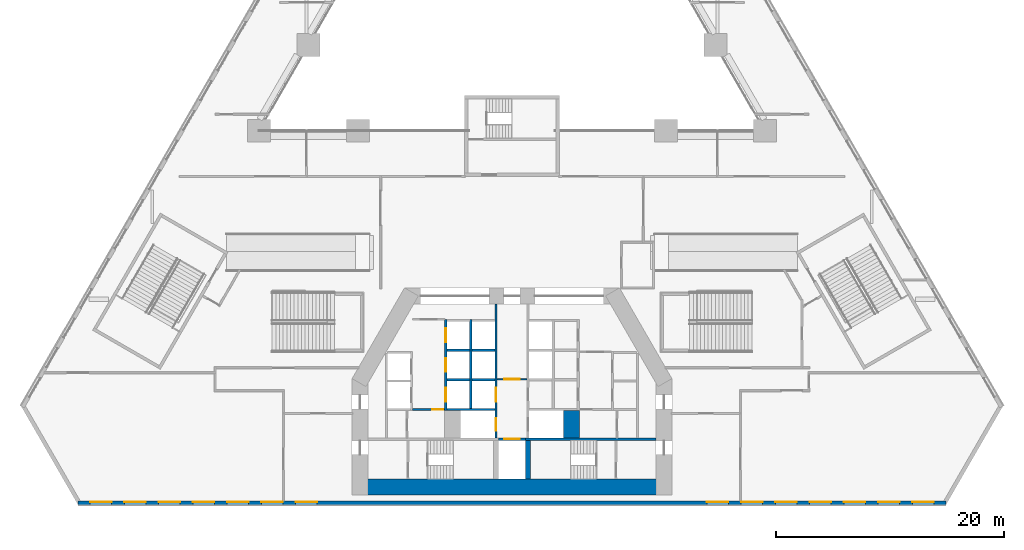
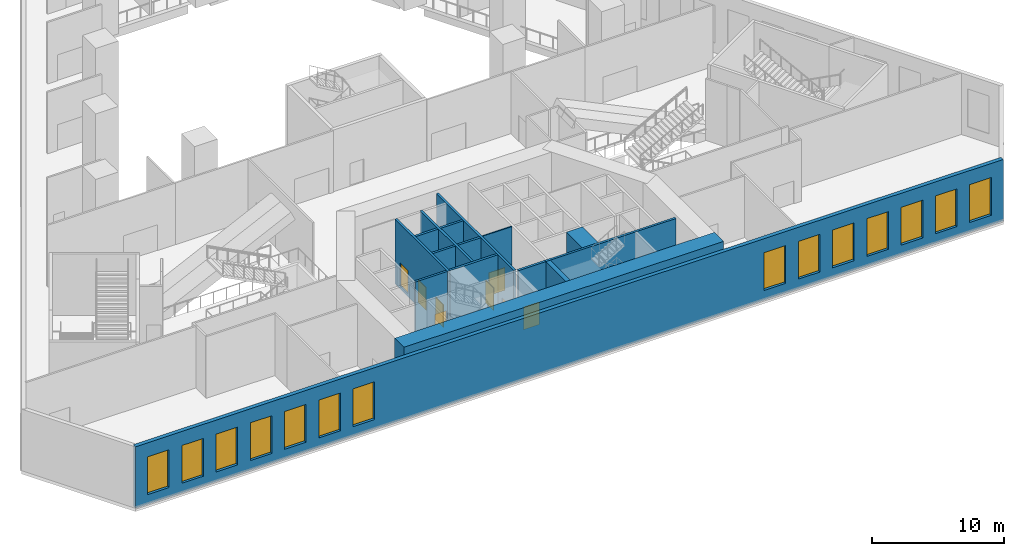
# One storey, part 3 of 16: 16 walls, 14 windows, 8 doors, 22 openings.
"""IFC4 building model written with IfcOpenShell, lengths in metres."""

from ifc_helpers import new_model, si_unit, direction, frame, frame_2d, origin, place, context, subcontext, project, spatial, rectangle, extrude, material, layer, layer_set, type_object, element, fill, save


model = new_model("IFC4")

# Units and contexts
model_context = context("Model", 3, precision=1e-05, world=origin(), true_north=direction((0.0, 1.0)))
body_context = subcontext(model_context, "Body", "Model", "MODEL_VIEW")
ifc_project = project(units=[si_unit("LENGTHUNIT", "METRE"), si_unit("AREAUNIT", "SQUARE_METRE"), si_unit("VOLUMEUNIT", "CUBIC_METRE"), si_unit("PLANEANGLEUNIT", "RADIAN"), si_unit("MASSUNIT", "GRAM", prefix="KILO")], contexts=[model_context])

# Site, building, storey
site_placement = place(None, origin())
site = spatial("IfcSite", under=ifc_project, at=site_placement, CompositionType="ELEMENT")
building_placement = place(site_placement, origin())
building = spatial("IfcBuilding", under=site, at=building_placement, Name="Fogline Exchange Tower", CompositionType="ELEMENT")
storey_placement = place(building_placement, frame((0.0, 0.0, 14.0)))
storey = spatial("IfcBuildingStorey", under=building, at=storey_placement, Name="L02", CompositionType="ELEMENT", Elevation=14.0)

# Wall, opening, door
ifc_material_1 = material(Name="Blockwork partition", Category="masonry")
ifc_layer_1 = layer(ifc_material_1, 0.10009765625)
ifc_layer_set_1 = layer_set([ifc_layer_1], Name="CW10")
wall_type_1 = type_object("IfcWallType", Name="CW10", PredefinedType="PARTITIONING", material=ifc_layer_set_1)
wall_1_placement = place(storey_placement, frame((-1.300048828125, 11.0, 0.0), z_axis=(0.0, 0.0, 1.0), x_axis=(1.0, 0.0, 0.0)))
wall_1 = element("IfcWall", 1, at=wall_1_placement, inside=storey, type_object=wall_type_1, Name="Lift lobby partition", PredefinedType="PARTITIONING", context=body_context, shape_type="SweptSolid", body=[
    extrude(rectangle(XDim=2.60009765625, YDim=0.10009765625, at=frame_2d((1.300048828125, 0.0))), origin(), (0.0, 0.0, 1.0), 5.699951171875),
])
opening_1_placement = place(wall_1_placement, frame((0.60009765625, 0.0, 0.0)))
opening_1 = element("IfcOpeningElement", 2, at=opening_1_placement, cuts=wall_1, Name="Opening P02-C019", PredefinedType="OPENING", context=body_context, shape_type="SweptSolid", body=[
    extrude(rectangle(XDim=1.39990234375, YDim=2.10009765625, at=frame_2d((0.699951171875, 1.050048828125))), frame((0.0, 0.06005859375, 0.0), z_axis=(0.0, -1.0, 0.0), x_axis=(1.0, 0.0, 0.0)), (0.0, 0.0, 1.0), 0.1201171875),
])
ifc_material_2 = material(Name="Steel and timber fire door", Category="steel")
door_type_1 = type_object("IfcDoorType", Name="D-LB1", OperationType="DOUBLE_DOOR_SINGLE_SWING", PredefinedType="DOOR", material=ifc_material_2)
door_1_placement = place(opening_1_placement, frame((1.39990234375, 0.0, 0.0), z_axis=(0.0, 0.0, 1.0), x_axis=(-1.0, 0.0, 0.0)))
door_1 = element("IfcDoor", 3, at=door_1_placement, inside=storey, type_object=door_type_1, Name="Door to firefighting lift lobby", OperationType="DOUBLE_DOOR_SINGLE_SWING", OverallHeight=2.10009765625, OverallWidth=1.39990234375, PredefinedType="DOOR", context=body_context, shape_type="SweptSolid", body=[
    extrude(rectangle(XDim=1.39990234375, YDim=2.10009765625, at=frame_2d((0.699951171875, 1.050048828125))), frame((0.0, 0.02490234375, 0.0), z_axis=(0.0, -1.0, 0.0), x_axis=(1.0, 0.0, 0.0)), (0.0, 0.0, 1.0), 0.050048828125),
])
fill(opening_1, door_1)

# Wall
ifc_material_3 = material(Name="Concrete C60", Category="concrete")
ifc_layer_2 = layer(ifc_material_3, 1.39990234375)
ifc_layer_set_2 = layer_set([ifc_layer_2], Name="CW140")
wall_type_2 = type_object("IfcWallType", Name="CW140", PredefinedType="SOLIDWALL", material=ifc_layer_set_2)
wall_2_placement = place(storey_placement, frame((5.199951171875, 5.85009765625, -0.300048828125), z_axis=(0.0, 0.0, 1.0), x_axis=(0.0, 1.0, 0.0)))
element("IfcWall", 4, at=wall_2_placement, inside=storey, type_object=wall_type_2, Name="Lift shaft block wall", PredefinedType="SOLIDWALL", context=body_context, shape_type="SweptSolid", body=[
    extrude(rectangle(XDim=2.39990234375, YDim=1.39990234375, at=frame_2d((1.199951171875, 0.0))), origin(), (0.0, 0.0, 1.0), 6.0),
])

# Wall, opening, door
ifc_material_4 = material(Name="Concrete C40", Category="concrete")
ifc_layer_3 = layer(ifc_material_4, 0.199951171875)
ifc_layer_set_3 = layer_set([ifc_layer_3], Name="CW20")
wall_type_3 = type_object("IfcWallType", Name="CW20", PredefinedType="SOLIDWALL", material=ifc_layer_set_3)
wall_3_placement = place(storey_placement, frame((-8.699951171875, 8.35009765625, 0.0), z_axis=(0.0, 0.0, 1.0), x_axis=(1.0, 0.0, 0.0)))
wall_3 = element("IfcWall", 5, at=wall_3_placement, inside=storey, type_object=wall_type_3, Name="WC wall", PredefinedType="SOLIDWALL", context=body_context, shape_type="SweptSolid", body=[
    extrude(rectangle(XDim=2.800048828125, YDim=0.199951171875, at=frame_2d((1.39990234375, 0.0))), origin(), (0.0, 0.0, 1.0), 5.699951171875),
])
opening_2_placement = place(wall_3_placement, frame((1.699951171875, 0.0, 0.0)))
opening_2 = element("IfcOpeningElement", 6, at=opening_2_placement, cuts=wall_3, Name="Opening P02-C008", PredefinedType="OPENING", context=body_context, shape_type="SweptSolid", body=[
    extrude(rectangle(XDim=1.0, YDim=2.10009765625, at=frame_2d((0.5, 1.050048828125))), frame((0.0, 0.10986328125, 0.0), z_axis=(0.0, -1.0, 0.0), x_axis=(1.0, 0.0, 0.0)), (0.0, 0.0, 1.0), 0.219970703125),
])
door_type_2 = type_object("IfcDoorType", Name="D-WC1", OperationType="SINGLE_SWING_LEFT", PredefinedType="DOOR", material=ifc_material_2)
door_2_placement = place(opening_2_placement, frame((1.0, 0.0, 0.0), z_axis=(0.0, 0.0, 1.0), x_axis=(-1.0, 0.0, 0.0)))
door_2 = element("IfcDoor", 7, at=door_2_placement, inside=storey, type_object=door_type_2, Name="Door to Men's WC", OperationType="SINGLE_SWING_LEFT", OverallHeight=2.10009765625, OverallWidth=1.0, PredefinedType="DOOR", context=body_context, shape_type="SweptSolid", body=[
    extrude(rectangle(XDim=1.0, YDim=2.10009765625, at=frame_2d((0.5, 1.050048828125))), frame((0.0, 0.02490234375, 0.0), z_axis=(0.0, -1.0, 0.0), x_axis=(1.0, 0.0, 0.0)), (0.0, 0.0, 1.0), 0.050048828125),
])
fill(opening_2, door_2)

ifc_layer_4 = layer(ifc_material_4, 0.199951171875)
ifc_layer_set_4 = layer_set([ifc_layer_4], Name="CW20R")
wall_type_4 = type_object("IfcWallType", Name="CW20R", PredefinedType="SOLIDWALL", material=ifc_layer_set_4)
wall_4_placement = place(storey_placement, frame((-1.199951171875, 5.75, -0.300048828125), z_axis=(0.0, 0.0, 1.0), x_axis=(1.0, 0.0, 0.0)))
wall_4 = element("IfcWall", 8, at=wall_4_placement, inside=storey, type_object=wall_type_4, Name="Stair enclosure wall", PredefinedType="SOLIDWALL", context=body_context, shape_type="SweptSolid", body=[
    extrude(rectangle(XDim=2.39990234375, YDim=0.199951171875, at=frame_2d((1.199951171875, 0.0))), origin(), (0.0, 0.0, 1.0), 6.0),
])
opening_3_placement = place(wall_4_placement, frame((0.5, 0.0, 0.300048828125)))
opening_3 = element("IfcOpeningElement", 9, at=opening_3_placement, cuts=wall_4, Name="Opening P02-LD09", PredefinedType="OPENING", context=body_context, shape_type="SweptSolid", body=[
    extrude(rectangle(XDim=1.39990234375, YDim=2.10009765625, at=frame_2d((0.699951171875, 1.050048828125))), frame((0.0, 0.10986328125, 0.0), z_axis=(0.0, -1.0, 0.0), x_axis=(1.0, 0.0, 0.0)), (0.0, 0.0, 1.0), 0.219970703125),
])
door_type_3 = type_object("IfcDoorType", Name="LD3", OperationType="SLIDING_TO_LEFT", PredefinedType="DOOR", material=ifc_material_2)
door_3_placement = place(opening_3_placement, origin())
door_3 = element("IfcDoor", 10, at=door_3_placement, inside=storey, type_object=door_type_3, Name="Landing door GL1", OperationType="SLIDING_TO_LEFT", OverallHeight=2.10009765625, OverallWidth=1.39990234375, PredefinedType="DOOR", context=body_context, shape_type="SweptSolid", body=[
    extrude(rectangle(XDim=1.39990234375, YDim=2.10009765625, at=frame_2d((0.699951171875, 1.050048828125))), frame((0.0, 0.02490234375, 0.0), z_axis=(0.0, -1.0, 0.0), x_axis=(1.0, 0.0, 0.0)), (0.0, 0.0, 1.0), 0.050048828125),
])
fill(opening_3, door_3)

# Wall
wall_5_placement = place(storey_placement, frame((1.199951171875, 5.75, -0.300048828125), z_axis=(0.0, 0.0, 1.0), x_axis=(1.0, 0.0, 0.0)))
element("IfcWall", 11, at=wall_5_placement, inside=storey, type_object=wall_type_4, Name="Stair enclosure wall", PredefinedType="SOLIDWALL", context=body_context, shape_type="SweptSolid", body=[
    extrude(rectangle(XDim=11.400146484375, YDim=0.199951171875, at=frame_2d((5.7001953125, 0.0))), origin(), (0.0, 0.0, 1.0), 6.0),
])

# Wall, openings, doors
ifc_layer_5 = layer(ifc_material_4, 0.199951171875)
ifc_layer_set_5 = layer_set([ifc_layer_5], Name="CW20S")
wall_type_5 = type_object("IfcWallType", Name="CW20S", PredefinedType="SOLIDWALL", material=ifc_layer_set_5)
wall_6_placement = place(storey_placement, frame((-5.800048828125, 8.25, -0.300048828125), z_axis=(0.0, 0.0, 1.0), x_axis=(0.0, 1.0, 0.0)))
wall_6 = element("IfcWall", 12, at=wall_6_placement, inside=storey, type_object=wall_type_5, Name="Lift shaft wall", PredefinedType="SOLIDWALL", context=body_context, shape_type="SweptSolid", body=[
    extrude(rectangle(XDim=8.0, YDim=0.199951171875, at=frame_2d((4.0, 0.0))), origin(), (0.0, 0.0, 1.0), 6.0),
])
opening_4_placement = place(wall_6_placement, frame((0.800048828125, 0.0, 0.300048828125)))
opening_4 = element("IfcOpeningElement", 13, at=opening_4_placement, cuts=wall_6, Name="Opening P02-LD03", PredefinedType="OPENING", context=body_context, shape_type="SweptSolid", body=[
    extrude(rectangle(XDim=1.199951171875, YDim=2.10009765625, at=frame_2d((0.60009765625, 1.050048828125))), frame((0.0, 0.10986328125, 0.0), z_axis=(0.0, -1.0, 0.0), x_axis=(1.0, 0.0, 0.0)), (0.0, 0.0, 1.0), 0.219970703125),
])
opening_5_placement = place(wall_6_placement, frame((3.39990234375, 0.0, 0.300048828125)))
opening_5 = element("IfcOpeningElement", 14, at=opening_5_placement, cuts=wall_6, Name="Opening P02-LD04", PredefinedType="OPENING", context=body_context, shape_type="SweptSolid", body=[
    extrude(rectangle(XDim=1.199951171875, YDim=2.10009765625, at=frame_2d((0.60009765625, 1.050048828125))), frame((0.0, 0.10986328125, 0.0), z_axis=(0.0, -1.0, 0.0), x_axis=(1.0, 0.0, 0.0)), (0.0, 0.0, 1.0), 0.219970703125),
])
opening_6_placement = place(wall_6_placement, frame((6.0, 0.0, 0.300048828125)))
opening_6 = element("IfcOpeningElement", 15, at=opening_6_placement, cuts=wall_6, Name="Opening P02-LD05", PredefinedType="OPENING", context=body_context, shape_type="SweptSolid", body=[
    extrude(rectangle(XDim=1.199951171875, YDim=2.10009765625, at=frame_2d((0.60009765625, 1.050048828125))), frame((0.0, 0.10986328125, 0.0), z_axis=(0.0, -1.0, 0.0), x_axis=(1.0, 0.0, 0.0)), (0.0, 0.0, 1.0), 0.219970703125),
])
door_type_4 = type_object("IfcDoorType", Name="LD1", OperationType="SLIDING_TO_LEFT", PredefinedType="DOOR", material=ifc_material_2)
door_4_placement = place(opening_4_placement, origin())
door_4 = element("IfcDoor", 16, at=door_4_placement, inside=storey, type_object=door_type_4, Name="Landing door LR3", OperationType="SLIDING_TO_LEFT", OverallHeight=2.10009765625, OverallWidth=1.199951171875, PredefinedType="DOOR", context=body_context, shape_type="SweptSolid", body=[
    extrude(rectangle(XDim=1.199951171875, YDim=2.10009765625, at=frame_2d((0.60009765625, 1.050048828125))), frame((0.0, 0.02490234375, 0.0), z_axis=(0.0, -1.0, 0.0), x_axis=(1.0, 0.0, 0.0)), (0.0, 0.0, 1.0), 0.050048828125),
])
fill(opening_4, door_4)
door_5_placement = place(opening_5_placement, origin())
door_5 = element("IfcDoor", 17, at=door_5_placement, inside=storey, type_object=door_type_4, Name="Landing door LR4", OperationType="SLIDING_TO_LEFT", OverallHeight=2.10009765625, OverallWidth=1.199951171875, PredefinedType="DOOR", context=body_context, shape_type="SweptSolid", body=[
    extrude(rectangle(XDim=1.199951171875, YDim=2.10009765625, at=frame_2d((0.60009765625, 1.050048828125))), frame((0.0, 0.02490234375, 0.0), z_axis=(0.0, -1.0, 0.0), x_axis=(1.0, 0.0, 0.0)), (0.0, 0.0, 1.0), 0.050048828125),
])
fill(opening_5, door_5)
door_6_placement = place(opening_6_placement, origin())
door_6 = element("IfcDoor", 18, at=door_6_placement, inside=storey, type_object=door_type_4, Name="Landing door LR5", OperationType="SLIDING_TO_LEFT", OverallHeight=2.10009765625, OverallWidth=1.199951171875, PredefinedType="DOOR", context=body_context, shape_type="SweptSolid", body=[
    extrude(rectangle(XDim=1.199951171875, YDim=2.10009765625, at=frame_2d((0.60009765625, 1.050048828125))), frame((0.0, 0.02490234375, 0.0), z_axis=(0.0, -1.0, 0.0), x_axis=(1.0, 0.0, 0.0)), (0.0, 0.0, 1.0), 0.050048828125),
])
fill(opening_6, door_6)

# Wall
wall_7_placement = place(storey_placement, frame((-3.60009765625, 8.449951171875, -0.300048828125), z_axis=(0.0, 0.0, 1.0), x_axis=(0.0, 1.0, 0.0)))
element("IfcWall", 19, at=wall_7_placement, inside=storey, type_object=wall_type_5, Name="Lift shaft wall", PredefinedType="SOLIDWALL", context=body_context, shape_type="SweptSolid", body=[
    extrude(rectangle(XDim=7.800048828125, YDim=0.199951171875, at=frame_2d((3.89990234375, 0.0))), origin(), (0.0, 0.0, 1.0), 6.0),
])

# Wall, openings, doors
wall_8_placement = place(storey_placement, frame((-1.39990234375, 5.85009765625, -0.300048828125), z_axis=(0.0, 0.0, 1.0), x_axis=(0.0, 1.0, 0.0)))
wall_8 = element("IfcWall", 20, at=wall_8_placement, inside=storey, type_object=wall_type_5, Name="Lift lobby wall", PredefinedType="SOLIDWALL", context=body_context, shape_type="SweptSolid", body=[
    extrude(rectangle(XDim=11.75, YDim=0.199951171875, at=frame_2d((5.875, 0.0))), origin(), (0.0, 0.0, 1.0), 6.0),
])
opening_7_placement = place(wall_8_placement, frame((3.199951171875, 0.0, 0.300048828125)))
opening_7 = element("IfcOpeningElement", 21, at=opening_7_placement, cuts=wall_8, Name="Opening P02-LD06", PredefinedType="OPENING", context=body_context, shape_type="SweptSolid", body=[
    extrude(rectangle(XDim=1.199951171875, YDim=2.10009765625, at=frame_2d((0.60009765625, 1.050048828125))), frame((0.0, 0.10986328125, 0.0), z_axis=(0.0, -1.0, 0.0), x_axis=(1.0, 0.0, 0.0)), (0.0, 0.0, 1.0), 0.219970703125),
])
opening_8_placement = place(wall_8_placement, frame((0.64990234375, 0.0, 0.300048828125)))
opening_8 = element("IfcOpeningElement", 22, at=opening_8_placement, cuts=wall_8, Name="Opening P02-LD07", PredefinedType="OPENING", context=body_context, shape_type="SweptSolid", body=[
    extrude(rectangle(XDim=1.10009765625, YDim=2.10009765625, at=frame_2d((0.550048828125, 1.050048828125))), frame((0.0, 0.10986328125, 0.0), z_axis=(0.0, -1.0, 0.0), x_axis=(1.0, 0.0, 0.0)), (0.0, 0.0, 1.0), 0.219970703125),
])
door_7_placement = place(opening_7_placement, origin())
door_7 = element("IfcDoor", 23, at=door_7_placement, inside=storey, type_object=door_type_4, Name="Landing door LR6", OperationType="SLIDING_TO_LEFT", OverallHeight=2.10009765625, OverallWidth=1.199951171875, PredefinedType="DOOR", context=body_context, shape_type="SweptSolid", body=[
    extrude(rectangle(XDim=1.199951171875, YDim=2.10009765625, at=frame_2d((0.60009765625, 1.050048828125))), frame((0.0, 0.02490234375, 0.0), z_axis=(0.0, -1.0, 0.0), x_axis=(1.0, 0.0, 0.0)), (0.0, 0.0, 1.0), 0.050048828125),
])
fill(opening_7, door_7)
door_type_5 = type_object("IfcDoorType", Name="LD2", OperationType="SLIDING_TO_RIGHT", PredefinedType="DOOR", material=ifc_material_2)
door_8_placement = place(opening_8_placement, origin())
door_8 = element("IfcDoor", 24, at=door_8_placement, inside=storey, type_object=door_type_5, Name="Landing door FF1", OperationType="SLIDING_TO_RIGHT", OverallHeight=2.10009765625, OverallWidth=1.10009765625, PredefinedType="DOOR", context=body_context, shape_type="SweptSolid", body=[
    extrude(rectangle(XDim=1.10009765625, YDim=2.10009765625, at=frame_2d((0.550048828125, 1.050048828125))), frame((0.0, 0.02490234375, 0.0), z_axis=(0.0, -1.0, 0.0), x_axis=(1.0, 0.0, 0.0)), (0.0, 0.0, 1.0), 0.050048828125),
])
fill(opening_8, door_8)

# Walls
wall_9_placement = place(storey_placement, frame((-5.699951171875, 8.35009765625, -0.300048828125), z_axis=(0.0, 0.0, 1.0), x_axis=(1.0, 0.0, 0.0)))
element("IfcWall", 25, at=wall_9_placement, inside=storey, type_object=wall_type_5, Name="Lift shaft wall", PredefinedType="SOLIDWALL", context=body_context, shape_type="SweptSolid", body=[
    extrude(rectangle(XDim=4.199951171875, YDim=0.199951171875, at=frame_2d((2.10009765625, 0.0))), origin(), (0.0, 0.0, 1.0), 6.0),
])
for number, where, z_axis, x_axis, name in (
    (26, (-5.699951171875, 10.949951171875, -0.300048828125), (0.0, 0.0, 1.0), (1.0, 0.0, 0.0), "Lift shaft wall"),
    (27, (-5.699951171875, 13.550048828125, -0.300048828125), (0.0, 0.0, 1.0), (1.0, 0.0, 0.0), "Lift shaft wall"),
    (28, (-3.5, 10.949951171875, -0.300048828125), (0.0, 0.0, 1.0), (1.0, 0.0, 0.0), "Lift shaft wall"),
    (29, (-3.5, 13.550048828125, -0.300048828125), (0.0, 0.0, 1.0), (1.0, 0.0, 0.0), "Lift shaft wall"),
):
    element("IfcWall", number, at=place(storey_placement, frame(where, z_axis=z_axis, x_axis=x_axis)), inside=storey, type_object=wall_type_5, Name=name, PredefinedType="SOLIDWALL", context=body_context, shape_type="SweptSolid", body=[
        extrude(rectangle(XDim=2.0, YDim=0.199951171875, at=frame_2d((1.0, 0.0))), origin(), (0.0, 0.0, 1.0), 6.0),
    ])
ifc_layer_6 = layer(ifc_material_4, 0.39990234375)
ifc_layer_set_6 = layer_set([ifc_layer_6], Name="CW40R")
wall_type_6 = type_object("IfcWallType", Name="CW40R", PredefinedType="SOLIDWALL", material=ifc_layer_set_6)
wall_10_placement = place(storey_placement, frame((1.39990234375, 2.25, -0.300048828125), z_axis=(0.0, 0.0, 1.0), x_axis=(0.0, 1.0, 0.0)))
element("IfcWall", 30, at=wall_10_placement, inside=storey, type_object=wall_type_6, Name="Stair and lift shaft wall", PredefinedType="SOLIDWALL", context=body_context, shape_type="SweptSolid", body=[
    extrude(rectangle(XDim=3.39990234375, YDim=0.39990234375, at=frame_2d((1.699951171875, 0.0))), origin(), (0.0, 0.0, 1.0), 6.0),
])

# Wall, openings, windows
ifc_material_5 = material(Name="Brick masonry", Category="masonry")
ifc_layer_7 = layer(ifc_material_5, 0.340087890625)
ifc_layer_set_7 = layer_set([ifc_layer_7], Name="FW1")
wall_type_7 = type_object("IfcWallType", Name="FW1", PredefinedType="SOLIDWALL", material=ifc_layer_set_7)
wall_11_placement = place(storey_placement, frame((-38.0, 0.169921875, 0.0), z_axis=(0.0, 0.0, 1.0), x_axis=(1.0, 0.0, 0.0)))
wall_11 = element("IfcWall", 31, at=wall_11_placement, inside=storey, type_object=wall_type_7, Name="Brick wall L02 S", PredefinedType="SOLIDWALL", context=body_context, shape_type="SweptSolid", body=[
    extrude(rectangle(XDim=76.0, YDim=0.340087890625, at=frame_2d((38.0, 0.0))), origin(), (0.0, 0.0, 1.0), 5.699951171875),
])
opening_9_placement = place(wall_11_placement, frame((1.0576171875, 0.0, 0.89990234375)))
opening_9 = element("IfcOpeningElement", 32, at=opening_9_placement, cuts=wall_11, Name="Opening W7", PredefinedType="OPENING", context=body_context, shape_type="SweptSolid", body=[
    extrude(rectangle(XDim=1.885009765625, YDim=3.5, at=frame_2d((0.9423828125, 1.75))), frame((0.0, 0.18017578125, 0.0), z_axis=(0.0, -1.0, 0.0), x_axis=(1.0, 0.0, 0.0)), (0.0, 0.0, 1.0), 0.360107421875),
])
opening_10_placement = place(wall_11_placement, frame((4.0576171875, 0.0, 0.89990234375)))
opening_10 = element("IfcOpeningElement", 33, at=opening_10_placement, cuts=wall_11, Name="Opening W7", PredefinedType="OPENING", context=body_context, shape_type="SweptSolid", body=[
    extrude(rectangle(XDim=1.885009765625, YDim=3.5, at=frame_2d((0.9423828125, 1.75))), frame((0.0, 0.18017578125, 0.0), z_axis=(0.0, -1.0, 0.0), x_axis=(1.0, 0.0, 0.0)), (0.0, 0.0, 1.0), 0.360107421875),
])
opening_11_placement = place(wall_11_placement, frame((7.0576171875, 0.0, 0.89990234375)))
opening_11 = element("IfcOpeningElement", 34, at=opening_11_placement, cuts=wall_11, Name="Opening W7", PredefinedType="OPENING", context=body_context, shape_type="SweptSolid", body=[
    extrude(rectangle(XDim=1.885009765625, YDim=3.5, at=frame_2d((0.9423828125, 1.75))), frame((0.0, 0.18017578125, 0.0), z_axis=(0.0, -1.0, 0.0), x_axis=(1.0, 0.0, 0.0)), (0.0, 0.0, 1.0), 0.360107421875),
])
opening_12_placement = place(wall_11_placement, frame((10.0576171875, 0.0, 0.89990234375)))
opening_12 = element("IfcOpeningElement", 35, at=opening_12_placement, cuts=wall_11, Name="Opening W7", PredefinedType="OPENING", context=body_context, shape_type="SweptSolid", body=[
    extrude(rectangle(XDim=1.885009765625, YDim=3.5, at=frame_2d((0.9423828125, 1.75))), frame((0.0, 0.18017578125, 0.0), z_axis=(0.0, -1.0, 0.0), x_axis=(1.0, 0.0, 0.0)), (0.0, 0.0, 1.0), 0.360107421875),
])
opening_13_placement = place(wall_11_placement, frame((13.0576171875, 0.0, 0.89990234375)))
opening_13 = element("IfcOpeningElement", 36, at=opening_13_placement, cuts=wall_11, Name="Opening W7", PredefinedType="OPENING", context=body_context, shape_type="SweptSolid", body=[
    extrude(rectangle(XDim=1.885009765625, YDim=3.5, at=frame_2d((0.9423828125, 1.75))), frame((0.0, 0.18017578125, 0.0), z_axis=(0.0, -1.0, 0.0), x_axis=(1.0, 0.0, 0.0)), (0.0, 0.0, 1.0), 0.360107421875),
])
opening_14_placement = place(wall_11_placement, frame((16.0576171875, 0.0, 0.89990234375)))
opening_14 = element("IfcOpeningElement", 37, at=opening_14_placement, cuts=wall_11, Name="Opening W7", PredefinedType="OPENING", context=body_context, shape_type="SweptSolid", body=[
    extrude(rectangle(XDim=1.885009765625, YDim=3.5, at=frame_2d((0.9423828125, 1.75))), frame((0.0, 0.18017578125, 0.0), z_axis=(0.0, -1.0, 0.0), x_axis=(1.0, 0.0, 0.0)), (0.0, 0.0, 1.0), 0.360107421875),
])
opening_15_placement = place(wall_11_placement, frame((19.0576171875, 0.0, 0.89990234375)))
opening_15 = element("IfcOpeningElement", 38, at=opening_15_placement, cuts=wall_11, Name="Opening W7", PredefinedType="OPENING", context=body_context, shape_type="SweptSolid", body=[
    extrude(rectangle(XDim=1.885009765625, YDim=3.5, at=frame_2d((0.9423828125, 1.75))), frame((0.0, 0.18017578125, 0.0), z_axis=(0.0, -1.0, 0.0), x_axis=(1.0, 0.0, 0.0)), (0.0, 0.0, 1.0), 0.360107421875),
])
opening_16_placement = place(wall_11_placement, frame((55.0576171875, 0.0, 0.89990234375)))
opening_16 = element("IfcOpeningElement", 39, at=opening_16_placement, cuts=wall_11, Name="Opening W7", PredefinedType="OPENING", context=body_context, shape_type="SweptSolid", body=[
    extrude(rectangle(XDim=1.885009765625, YDim=3.5, at=frame_2d((0.9423828125, 1.75))), frame((0.0, 0.18017578125, 0.0), z_axis=(0.0, -1.0, 0.0), x_axis=(1.0, 0.0, 0.0)), (0.0, 0.0, 1.0), 0.360107421875),
])
opening_17_placement = place(wall_11_placement, frame((58.0576171875, 0.0, 0.89990234375)))
opening_17 = element("IfcOpeningElement", 40, at=opening_17_placement, cuts=wall_11, Name="Opening W7", PredefinedType="OPENING", context=body_context, shape_type="SweptSolid", body=[
    extrude(rectangle(XDim=1.885009765625, YDim=3.5, at=frame_2d((0.9423828125, 1.75))), frame((0.0, 0.18017578125, 0.0), z_axis=(0.0, -1.0, 0.0), x_axis=(1.0, 0.0, 0.0)), (0.0, 0.0, 1.0), 0.360107421875),
])
opening_18_placement = place(wall_11_placement, frame((61.0576171875, 0.0, 0.89990234375)))
opening_18 = element("IfcOpeningElement", 41, at=opening_18_placement, cuts=wall_11, Name="Opening W7", PredefinedType="OPENING", context=body_context, shape_type="SweptSolid", body=[
    extrude(rectangle(XDim=1.885009765625, YDim=3.5, at=frame_2d((0.9423828125, 1.75))), frame((0.0, 0.18017578125, 0.0), z_axis=(0.0, -1.0, 0.0), x_axis=(1.0, 0.0, 0.0)), (0.0, 0.0, 1.0), 0.360107421875),
])
opening_19_placement = place(wall_11_placement, frame((64.0576171875, 0.0, 0.89990234375)))
opening_19 = element("IfcOpeningElement", 42, at=opening_19_placement, cuts=wall_11, Name="Opening W7", PredefinedType="OPENING", context=body_context, shape_type="SweptSolid", body=[
    extrude(rectangle(XDim=1.885009765625, YDim=3.5, at=frame_2d((0.9423828125, 1.75))), frame((0.0, 0.18017578125, 0.0), z_axis=(0.0, -1.0, 0.0), x_axis=(1.0, 0.0, 0.0)), (0.0, 0.0, 1.0), 0.360107421875),
])
opening_20_placement = place(wall_11_placement, frame((67.0576171875, 0.0, 0.89990234375)))
opening_20 = element("IfcOpeningElement", 43, at=opening_20_placement, cuts=wall_11, Name="Opening W7", PredefinedType="OPENING", context=body_context, shape_type="SweptSolid", body=[
    extrude(rectangle(XDim=1.885009765625, YDim=3.5, at=frame_2d((0.9423828125, 1.75))), frame((0.0, 0.18017578125, 0.0), z_axis=(0.0, -1.0, 0.0), x_axis=(1.0, 0.0, 0.0)), (0.0, 0.0, 1.0), 0.360107421875),
])
opening_21_placement = place(wall_11_placement, frame((70.0576171875, 0.0, 0.89990234375)))
opening_21 = element("IfcOpeningElement", 44, at=opening_21_placement, cuts=wall_11, Name="Opening W7", PredefinedType="OPENING", context=body_context, shape_type="SweptSolid", body=[
    extrude(rectangle(XDim=1.885009765625, YDim=3.5, at=frame_2d((0.9423828125, 1.75))), frame((0.0, 0.18017578125, 0.0), z_axis=(0.0, -1.0, 0.0), x_axis=(1.0, 0.0, 0.0)), (0.0, 0.0, 1.0), 0.360107421875),
])
opening_22_placement = place(wall_11_placement, frame((73.0576171875, 0.0, 0.89990234375)))
opening_22 = element("IfcOpeningElement", 45, at=opening_22_placement, cuts=wall_11, Name="Opening W7", PredefinedType="OPENING", context=body_context, shape_type="SweptSolid", body=[
    extrude(rectangle(XDim=1.885009765625, YDim=3.5, at=frame_2d((0.9423828125, 1.75))), frame((0.0, 0.18017578125, 0.0), z_axis=(0.0, -1.0, 0.0), x_axis=(1.0, 0.0, 0.0)), (0.0, 0.0, 1.0), 0.360107421875),
])
ifc_material_6 = material(Name="Aluminium and glass", Category="aluminium")
window_type = type_object("IfcWindowType", Name="W7", PartitioningType="SINGLE_PANEL", PredefinedType="WINDOW", material=ifc_material_6)
window_1_placement = place(opening_9_placement, origin())
window_1 = element("IfcWindow", 46, at=window_1_placement, inside=storey, type_object=window_type, Name="W7 W7", OverallHeight=3.5, OverallWidth=1.885009765625, PartitioningType="SINGLE_PANEL", PredefinedType="WINDOW", context=body_context, shape_type="SweptSolid", body=[
    extrude(rectangle(XDim=1.885009765625, YDim=3.5, at=frame_2d((0.9423828125, 1.75))), frame((0.0, 0.110107421875, 0.0), z_axis=(0.0, -1.0, 0.0), x_axis=(1.0, 0.0, 0.0)), (0.0, 0.0, 1.0), 0.06005859375),
])
fill(opening_9, window_1)
window_2_placement = place(opening_10_placement, origin())
window_2 = element("IfcWindow", 47, at=window_2_placement, inside=storey, type_object=window_type, Name="W7 W7", OverallHeight=3.5, OverallWidth=1.885009765625, PartitioningType="SINGLE_PANEL", PredefinedType="WINDOW", context=body_context, shape_type="SweptSolid", body=[
    extrude(rectangle(XDim=1.885009765625, YDim=3.5, at=frame_2d((0.9423828125, 1.75))), frame((0.0, 0.110107421875, 0.0), z_axis=(0.0, -1.0, 0.0), x_axis=(1.0, 0.0, 0.0)), (0.0, 0.0, 1.0), 0.06005859375),
])
fill(opening_10, window_2)
window_3_placement = place(opening_11_placement, origin())
window_3 = element("IfcWindow", 48, at=window_3_placement, inside=storey, type_object=window_type, Name="W7 W7", OverallHeight=3.5, OverallWidth=1.885009765625, PartitioningType="SINGLE_PANEL", PredefinedType="WINDOW", context=body_context, shape_type="SweptSolid", body=[
    extrude(rectangle(XDim=1.885009765625, YDim=3.5, at=frame_2d((0.9423828125, 1.75))), frame((0.0, 0.110107421875, 0.0), z_axis=(0.0, -1.0, 0.0), x_axis=(1.0, 0.0, 0.0)), (0.0, 0.0, 1.0), 0.06005859375),
])
fill(opening_11, window_3)
window_4_placement = place(opening_12_placement, origin())
window_4 = element("IfcWindow", 49, at=window_4_placement, inside=storey, type_object=window_type, Name="W7 W7", OverallHeight=3.5, OverallWidth=1.885009765625, PartitioningType="SINGLE_PANEL", PredefinedType="WINDOW", context=body_context, shape_type="SweptSolid", body=[
    extrude(rectangle(XDim=1.885009765625, YDim=3.5, at=frame_2d((0.9423828125, 1.75))), frame((0.0, 0.110107421875, 0.0), z_axis=(0.0, -1.0, 0.0), x_axis=(1.0, 0.0, 0.0)), (0.0, 0.0, 1.0), 0.06005859375),
])
fill(opening_12, window_4)
window_5_placement = place(opening_13_placement, origin())
window_5 = element("IfcWindow", 50, at=window_5_placement, inside=storey, type_object=window_type, Name="W7 W7", OverallHeight=3.5, OverallWidth=1.885009765625, PartitioningType="SINGLE_PANEL", PredefinedType="WINDOW", context=body_context, shape_type="SweptSolid", body=[
    extrude(rectangle(XDim=1.885009765625, YDim=3.5, at=frame_2d((0.9423828125, 1.75))), frame((0.0, 0.110107421875, 0.0), z_axis=(0.0, -1.0, 0.0), x_axis=(1.0, 0.0, 0.0)), (0.0, 0.0, 1.0), 0.06005859375),
])
fill(opening_13, window_5)
window_6_placement = place(opening_14_placement, origin())
window_6 = element("IfcWindow", 51, at=window_6_placement, inside=storey, type_object=window_type, Name="W7 W7", OverallHeight=3.5, OverallWidth=1.885009765625, PartitioningType="SINGLE_PANEL", PredefinedType="WINDOW", context=body_context, shape_type="SweptSolid", body=[
    extrude(rectangle(XDim=1.885009765625, YDim=3.5, at=frame_2d((0.9423828125, 1.75))), frame((0.0, 0.110107421875, 0.0), z_axis=(0.0, -1.0, 0.0), x_axis=(1.0, 0.0, 0.0)), (0.0, 0.0, 1.0), 0.06005859375),
])
fill(opening_14, window_6)
window_7_placement = place(opening_15_placement, origin())
window_7 = element("IfcWindow", 52, at=window_7_placement, inside=storey, type_object=window_type, Name="W7 W7", OverallHeight=3.5, OverallWidth=1.885009765625, PartitioningType="SINGLE_PANEL", PredefinedType="WINDOW", context=body_context, shape_type="SweptSolid", body=[
    extrude(rectangle(XDim=1.885009765625, YDim=3.5, at=frame_2d((0.9423828125, 1.75))), frame((0.0, 0.110107421875, 0.0), z_axis=(0.0, -1.0, 0.0), x_axis=(1.0, 0.0, 0.0)), (0.0, 0.0, 1.0), 0.06005859375),
])
fill(opening_15, window_7)
window_8_placement = place(opening_16_placement, origin())
window_8 = element("IfcWindow", 53, at=window_8_placement, inside=storey, type_object=window_type, Name="W7 W7", OverallHeight=3.5, OverallWidth=1.885009765625, PartitioningType="SINGLE_PANEL", PredefinedType="WINDOW", context=body_context, shape_type="SweptSolid", body=[
    extrude(rectangle(XDim=1.885009765625, YDim=3.5, at=frame_2d((0.9423828125, 1.75))), frame((0.0, 0.110107421875, 0.0), z_axis=(0.0, -1.0, 0.0), x_axis=(1.0, 0.0, 0.0)), (0.0, 0.0, 1.0), 0.06005859375),
])
fill(opening_16, window_8)
window_9_placement = place(opening_17_placement, origin())
window_9 = element("IfcWindow", 54, at=window_9_placement, inside=storey, type_object=window_type, Name="W7 W7", OverallHeight=3.5, OverallWidth=1.885009765625, PartitioningType="SINGLE_PANEL", PredefinedType="WINDOW", context=body_context, shape_type="SweptSolid", body=[
    extrude(rectangle(XDim=1.885009765625, YDim=3.5, at=frame_2d((0.9423828125, 1.75))), frame((0.0, 0.110107421875, 0.0), z_axis=(0.0, -1.0, 0.0), x_axis=(1.0, 0.0, 0.0)), (0.0, 0.0, 1.0), 0.06005859375),
])
fill(opening_17, window_9)
window_10_placement = place(opening_18_placement, origin())
window_10 = element("IfcWindow", 55, at=window_10_placement, inside=storey, type_object=window_type, Name="W7 W7", OverallHeight=3.5, OverallWidth=1.885009765625, PartitioningType="SINGLE_PANEL", PredefinedType="WINDOW", context=body_context, shape_type="SweptSolid", body=[
    extrude(rectangle(XDim=1.885009765625, YDim=3.5, at=frame_2d((0.9423828125, 1.75))), frame((0.0, 0.110107421875, 0.0), z_axis=(0.0, -1.0, 0.0), x_axis=(1.0, 0.0, 0.0)), (0.0, 0.0, 1.0), 0.06005859375),
])
fill(opening_18, window_10)
window_11_placement = place(opening_19_placement, origin())
window_11 = element("IfcWindow", 56, at=window_11_placement, inside=storey, type_object=window_type, Name="W7 W7", OverallHeight=3.5, OverallWidth=1.885009765625, PartitioningType="SINGLE_PANEL", PredefinedType="WINDOW", context=body_context, shape_type="SweptSolid", body=[
    extrude(rectangle(XDim=1.885009765625, YDim=3.5, at=frame_2d((0.9423828125, 1.75))), frame((0.0, 0.110107421875, 0.0), z_axis=(0.0, -1.0, 0.0), x_axis=(1.0, 0.0, 0.0)), (0.0, 0.0, 1.0), 0.06005859375),
])
fill(opening_19, window_11)
window_12_placement = place(opening_20_placement, origin())
window_12 = element("IfcWindow", 57, at=window_12_placement, inside=storey, type_object=window_type, Name="W7 W7", OverallHeight=3.5, OverallWidth=1.885009765625, PartitioningType="SINGLE_PANEL", PredefinedType="WINDOW", context=body_context, shape_type="SweptSolid", body=[
    extrude(rectangle(XDim=1.885009765625, YDim=3.5, at=frame_2d((0.9423828125, 1.75))), frame((0.0, 0.110107421875, 0.0), z_axis=(0.0, -1.0, 0.0), x_axis=(1.0, 0.0, 0.0)), (0.0, 0.0, 1.0), 0.06005859375),
])
fill(opening_20, window_12)
window_13_placement = place(opening_21_placement, origin())
window_13 = element("IfcWindow", 58, at=window_13_placement, inside=storey, type_object=window_type, Name="W7 W7", OverallHeight=3.5, OverallWidth=1.885009765625, PartitioningType="SINGLE_PANEL", PredefinedType="WINDOW", context=body_context, shape_type="SweptSolid", body=[
    extrude(rectangle(XDim=1.885009765625, YDim=3.5, at=frame_2d((0.9423828125, 1.75))), frame((0.0, 0.110107421875, 0.0), z_axis=(0.0, -1.0, 0.0), x_axis=(1.0, 0.0, 0.0)), (0.0, 0.0, 1.0), 0.06005859375),
])
fill(opening_21, window_13)
window_14_placement = place(opening_22_placement, origin())
window_14 = element("IfcWindow", 59, at=window_14_placement, inside=storey, type_object=window_type, Name="W7 W7", OverallHeight=3.5, OverallWidth=1.885009765625, PartitioningType="SINGLE_PANEL", PredefinedType="WINDOW", context=body_context, shape_type="SweptSolid", body=[
    extrude(rectangle(XDim=1.885009765625, YDim=3.5, at=frame_2d((0.9423828125, 1.75))), frame((0.0, 0.110107421875, 0.0), z_axis=(0.0, -1.0, 0.0), x_axis=(1.0, 0.0, 0.0)), (0.0, 0.0, 1.0), 0.06005859375),
])
fill(opening_22, window_14)

# Wall
ifc_layer_8 = layer(ifc_material_3, 1.39990234375)
ifc_layer_set_8 = layer_set([ifc_layer_8], Name="SW01")
wall_type_8 = type_object("IfcWallType", Name="SW01", PredefinedType="SHEAR", material=ifc_layer_set_8)
wall_12_placement = place(storey_placement, frame((-14.0, 1.550048828125, 0.0), z_axis=(0.0, 0.0, 1.0), x_axis=(1.0, 0.0, 0.0)))
element("IfcWall", 60, at=wall_12_placement, inside=storey, type_object=wall_type_8, Name="L02-W901", PredefinedType="SHEAR", context=body_context, shape_type="SweptSolid", body=[
    extrude(rectangle(XDim=28.0, YDim=1.39990234375, at=frame_2d((14.0, 0.0))), origin(), (0.0, 0.0, 1.0), 6.0),
])

save(model, "model.ifc")
